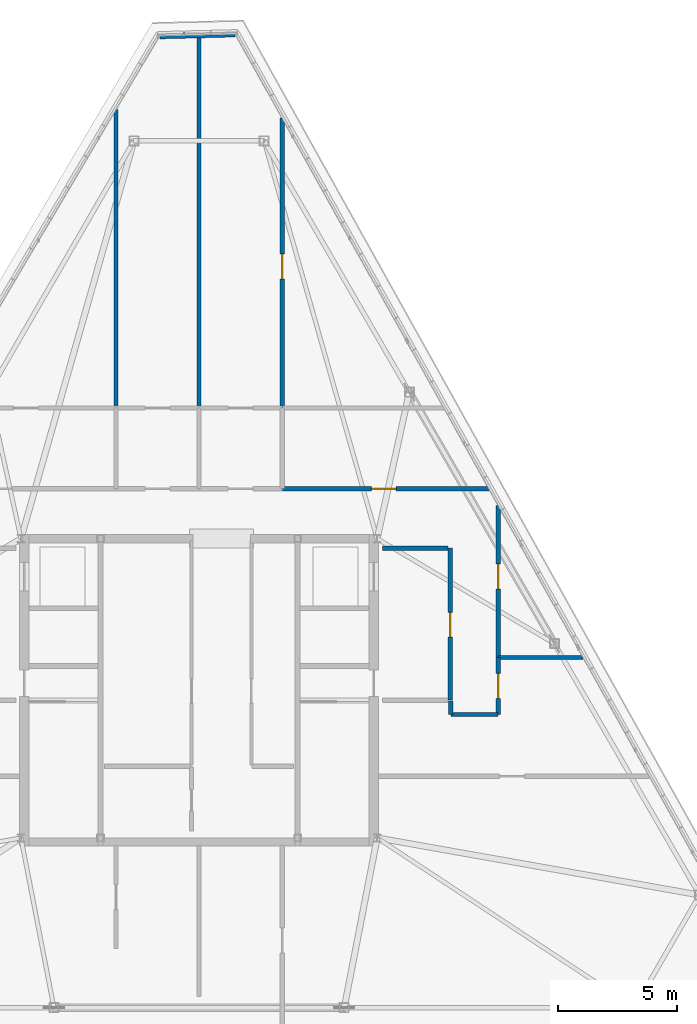
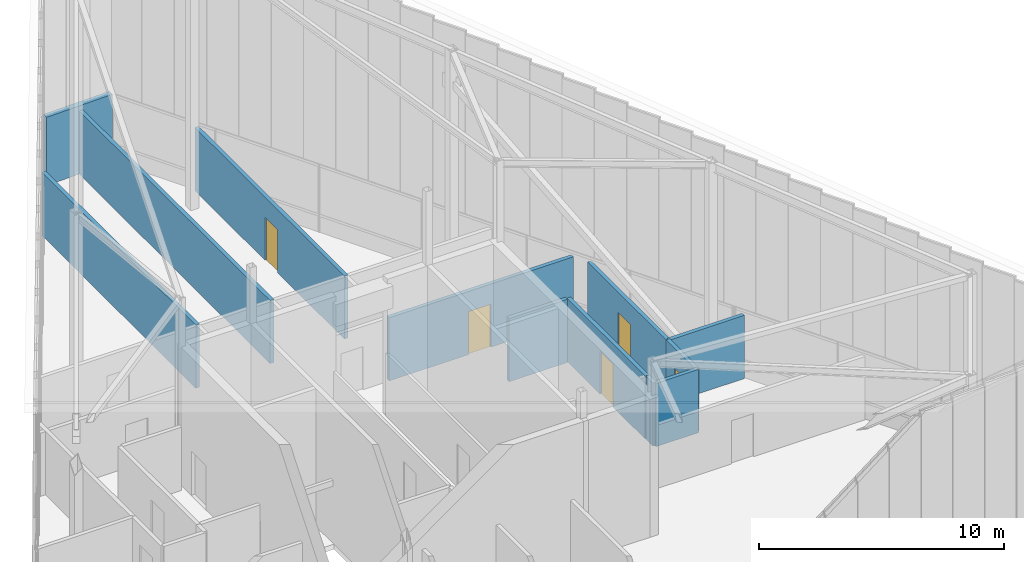
# One storey, part 45 of 50: 12 walls, 5 doors, 5 openings.
"""IFC4 building model written with IfcOpenShell, lengths in metres."""

from ifc_helpers import new_model, si_unit, direction, frame, frame_2d, origin, place, context, subcontext, project, spatial, rectangle, extrude, material, layer, layer_set, type_object, element, fill, save


model = new_model("IFC4")

# Units and contexts
model_context = context("Model", 3, precision=1e-05, world=origin(), true_north=direction((0.0, 1.0)))
body_context = subcontext(model_context, "Body", "Model", "MODEL_VIEW")
ifc_project = project(units=[si_unit("LENGTHUNIT", "METRE"), si_unit("AREAUNIT", "SQUARE_METRE"), si_unit("VOLUMEUNIT", "CUBIC_METRE"), si_unit("PLANEANGLEUNIT", "RADIAN"), si_unit("MASSUNIT", "GRAM", prefix="KILO")], contexts=[model_context])

# Site, building, storey
site_placement = place(None, origin())
site = spatial("IfcSite", under=ifc_project, at=site_placement, CompositionType="ELEMENT")
building_placement = place(site_placement, origin())
building = spatial("IfcBuilding", under=site, at=building_placement, Name="Caelisora Broadcast Tower", CompositionType="ELEMENT")
storey_placement = place(building_placement, frame((0.0, 0.0, 303.39990234375)))
storey = spatial("IfcBuildingStorey", under=building, at=storey_placement, Name="L80", CompositionType="ELEMENT", Elevation=303.39990234375)

# Wall
ifc_material_1 = material(Name="Fire-Rated Acoustic Plant Enclosure Wall", Category="masonry")
ifc_layer_1 = layer(ifc_material_1, 0.260009765625, Name="Fire-Rated Acoustic Plant Enclosure Wall")
ifc_layer_set_1 = layer_set([ifc_layer_1], Name="Fire-Rated Acoustic Plant Enclosure Wall")
wall_type_1 = type_object("IfcWallType", Name="EW2", PredefinedType="STANDARD", material=ifc_layer_set_1)
wall_1_placement = place(storey_placement, frame((36.34912109375, 51.1767578125, 0.0), z_axis=(0.0, 0.0, 1.0), x_axis=(0.999684061487, 0.025135178708, 0.0)))
element("IfcWall", 1, at=wall_1_placement, inside=storey, type_object=wall_type_1, Name="L80 exterior envelope wall EW2", PredefinedType="STANDARD", context=body_context, shape_type="SweptSolid", body=[
    extrude(rectangle(XDim=3.15673828125, YDim=0.260009765625, at=frame_2d((1.578369140625, 0.0))), origin(), (0.0, 0.0, 1.0), 3.400146484375),
])

# Wall, opening, door
ifc_material_2 = material(Name="Fire-Rated Gypsum Shaft and Compartment Wall", Category="gypsum")
ifc_layer_2 = layer(ifc_material_2, 0.179931640625, Name="Fire-Rated Gypsum Shaft and Compartment Wall")
ifc_layer_set_2 = layer_set([ifc_layer_2], Name="Fire-Rated Gypsum Shaft and Compartment Wall")
wall_type_2 = type_object("IfcWallType", Name="PW2", PredefinedType="PARTITIONING", material=ifc_layer_set_2)
wall_2_placement = place(storey_placement, frame((48.580078125, 23.199951171875, 0.0), z_axis=(0.0, 0.0, 1.0), x_axis=(0.0, 1.0, 0.0)))
wall_2 = element("IfcWall", 2, at=wall_2_placement, inside=storey, type_object=wall_type_2, Name="L80 fire compartment wall PW2", PredefinedType="PARTITIONING", context=body_context, shape_type="SweptSolid", body=[
    extrude(rectangle(XDim=6.400146484375, YDim=0.179931640625, at=frame_2d((3.2001953125, 0.0))), origin(), (0.0, 0.0, 1.0), 3.150146484375),
])
opening_1_placement = place(wall_2_placement, frame((2.64990234375, 0.0, 0.0)))
opening_1 = element("IfcOpeningElement", 3, at=opening_1_placement, cuts=wall_2, Name="Opening FD02", PredefinedType="OPENING", context=body_context, shape_type="SweptSolid", body=[
    extrude(rectangle(XDim=1.050048828125, YDim=2.14990234375, at=frame_2d((0.52490234375, 1.074951171875))), frame((0.0, 0.10205078125, 0.0), z_axis=(0.0, -1.0, 0.0), x_axis=(1.0, 0.0, 0.0)), (0.0, 0.0, 1.0), 0.203857421875),
])
ifc_material_3 = material(Name="Single-Leaf Steel Fire Lobby Door", Category="steel")
door_type = type_object("IfcDoorType", Name="FD02", OperationType="NOTDEFINED", PredefinedType="DOOR", material=ifc_material_3)
door_1_placement = place(opening_1_placement, origin())
door_1 = element("IfcDoor", 4, at=door_1_placement, inside=storey, type_object=door_type, Name="L80 door FD02 (L80-DR-P04D1)", OperationType="SINGLE_SWING_RIGHT", OverallHeight=2.14990234375, OverallWidth=1.050048828125, PredefinedType="DOOR", context=body_context, shape_type="SweptSolid", body=[
    extrude(rectangle(XDim=1.050048828125, YDim=2.14990234375, at=frame_2d((0.52490234375, 1.074951171875))), frame((0.0, 0.02490234375, 0.0), z_axis=(0.0, -1.0, 0.0), x_axis=(1.0, 0.0, 0.0)), (0.0, 0.0, 1.0), 0.050048828125),
])
fill(opening_1, door_1)

# Walls
wall_3_placement = place(storey_placement, frame((45.719970703125, 29.60009765625, 0.0), z_axis=(0.0, 0.0, 1.0), x_axis=(1.0, 0.0, 0.0)))
element("IfcWall", 5, at=wall_3_placement, inside=storey, type_object=wall_type_2, Name="L80 fire compartment wall PW2", PredefinedType="PARTITIONING", context=body_context, shape_type="SweptSolid", body=[
    extrude(rectangle(XDim=2.760009765625, YDim=0.179931640625, at=frame_2d((1.3798828125, 0.0))), origin(), (0.0, 0.0, 1.0), 3.150146484375),
])
wall_4_placement = place(storey_placement, frame((38.0, 35.5048828125, 0.0), z_axis=(0.0, 0.0, 1.0), x_axis=(0.0, 1.0, 0.0)))
element("IfcWall", 6, at=wall_4_placement, inside=storey, type_object=wall_type_2, Name="L80 fire compartment wall PW2", PredefinedType="PARTITIONING", context=body_context, shape_type="SweptSolid", body=[
    extrude(rectangle(XDim=15.693359375, YDim=0.179931640625, at=frame_2d((7.8466796875, 0.0))), origin(), (0.0, 0.0, 1.0), 3.150146484375),
])
wall_5_placement = place(storey_placement, frame((34.5, 35.5048828125, 0.0), z_axis=(0.0, 0.0, 1.0), x_axis=(0.0, 1.0, 0.0)))
element("IfcWall", 7, at=wall_5_placement, inside=storey, type_object=wall_type_2, Name="L80 fire compartment wall PW2", PredefinedType="PARTITIONING", context=body_context, shape_type="SweptSolid", body=[
    extrude(rectangle(XDim=12.574462890625, YDim=0.179931640625, at=frame_2d((6.287109375, 0.0))), origin(), (0.0, 0.0, 1.0), 3.150146484375),
])

# Wall, opening, door
wall_6_placement = place(storey_placement, frame((41.5, 35.5048828125, 0.0), z_axis=(0.0, 0.0, 1.0), x_axis=(0.0, 1.0, 0.0)))
wall_6 = element("IfcWall", 8, at=wall_6_placement, inside=storey, type_object=wall_type_2, Name="L80 fire compartment wall PW2", PredefinedType="PARTITIONING", context=body_context, shape_type="SweptSolid", body=[
    extrude(rectangle(XDim=12.21044921875, YDim=0.179931640625, at=frame_2d((6.105224609375, 0.0))), origin(), (0.0, 0.0, 1.0), 3.150146484375),
])
opening_2_placement = place(wall_6_placement, frame((5.43701171875, 0.0, 0.0)))
opening_2 = element("IfcOpeningElement", 9, at=opening_2_placement, cuts=wall_6, Name="Opening FD02", PredefinedType="OPENING", context=body_context, shape_type="SweptSolid", body=[
    extrude(rectangle(XDim=1.050048828125, YDim=2.14990234375, at=frame_2d((0.52490234375, 1.074951171875))), frame((0.0, 0.10205078125, 0.0), z_axis=(0.0, -1.0, 0.0), x_axis=(1.0, 0.0, 0.0)), (0.0, 0.0, 1.0), 0.203857421875),
])
door_2_placement = place(opening_2_placement, origin())
door_2 = element("IfcDoor", 10, at=door_2_placement, inside=storey, type_object=door_type, Name="L80 door FD02 (L80-DR-P16D1)", OperationType="SINGLE_SWING_RIGHT", OverallHeight=2.14990234375, OverallWidth=1.050048828125, PredefinedType="DOOR", context=body_context, shape_type="SweptSolid", body=[
    extrude(rectangle(XDim=1.050048828125, YDim=2.14990234375, at=frame_2d((0.52490234375, 1.074951171875))), frame((0.0, 0.02490234375, 0.0), z_axis=(0.0, -1.0, 0.0), x_axis=(1.0, 0.0, 0.0)), (0.0, 0.0, 1.0), 0.050048828125),
])
fill(opening_2, door_2)

wall_7_placement = place(storey_placement, frame((41.5048828125, 32.10009765625, 0.0), z_axis=(0.0, 0.0, 1.0), x_axis=(1.0, 0.0, 0.0)))
wall_7 = element("IfcWall", 11, at=wall_7_placement, inside=storey, type_object=wall_type_2, Name="L80 fire compartment wall PW2", PredefinedType="PARTITIONING", context=body_context, shape_type="SweptSolid", body=[
    extrude(rectangle(XDim=8.699462890625, YDim=0.179931640625, at=frame_2d((4.349609375, 0.0))), origin(), (0.0, 0.0, 1.0), 3.150146484375),
])
opening_3_placement = place(wall_7_placement, frame((3.7470703125, 0.0, 0.0)))
opening_3 = element("IfcOpeningElement", 12, at=opening_3_placement, cuts=wall_7, Name="Opening FD02", PredefinedType="OPENING", context=body_context, shape_type="SweptSolid", body=[
    extrude(rectangle(XDim=1.050048828125, YDim=2.14990234375, at=frame_2d((0.52490234375, 1.074951171875))), frame((0.0, 0.10205078125, 0.0), z_axis=(0.0, -1.0, 0.0), x_axis=(1.0, 0.0, 0.0)), (0.0, 0.0, 1.0), 0.203857421875),
])
door_3_placement = place(opening_3_placement, origin())
door_3 = element("IfcDoor", 13, at=door_3_placement, inside=storey, type_object=door_type, Name="L80 door FD02 (L80-DR-P20D1)", OperationType="SINGLE_SWING_RIGHT", OverallHeight=2.14990234375, OverallWidth=1.050048828125, PredefinedType="DOOR", context=body_context, shape_type="SweptSolid", body=[
    extrude(rectangle(XDim=1.050048828125, YDim=2.14990234375, at=frame_2d((0.52490234375, 1.074951171875))), frame((0.0, 0.02490234375, 0.0), z_axis=(0.0, -1.0, 0.0), x_axis=(1.0, 0.0, 0.0)), (0.0, 0.0, 1.0), 0.050048828125),
])
fill(opening_3, door_3)

wall_8_placement = place(storey_placement, frame((50.60009765625, 25.0048828125, 0.0), z_axis=(0.0, 0.0, 1.0), x_axis=(0.0, 1.0, 0.0)))
wall_8 = element("IfcWall", 14, at=wall_8_placement, inside=storey, type_object=wall_type_2, Name="L80 fire compartment wall PW2", PredefinedType="PARTITIONING", context=body_context, shape_type="SweptSolid", body=[
    extrude(rectangle(XDim=6.401611328125, YDim=0.179931640625, at=frame_2d((3.20068359375, 0.0))), origin(), (0.0, 0.0, 1.0), 3.150146484375),
])
opening_4_placement = place(wall_8_placement, frame((2.8798828125, 0.0, 0.0)))
opening_4 = element("IfcOpeningElement", 15, at=opening_4_placement, cuts=wall_8, Name="Opening FD02", PredefinedType="OPENING", context=body_context, shape_type="SweptSolid", body=[
    extrude(rectangle(XDim=1.050048828125, YDim=2.14990234375, at=frame_2d((0.52490234375, 1.074951171875))), frame((0.0, 0.10205078125, 0.0), z_axis=(0.0, -1.0, 0.0), x_axis=(1.0, 0.0, 0.0)), (0.0, 0.0, 1.0), 0.203857421875),
])
door_4_placement = place(opening_4_placement, origin())
door_4 = element("IfcDoor", 16, at=door_4_placement, inside=storey, type_object=door_type, Name="L80 door FD02 (L80-DR-P26D1)", OperationType="SINGLE_SWING_LEFT", OverallHeight=2.14990234375, OverallWidth=1.050048828125, PredefinedType="DOOR", context=body_context, shape_type="SweptSolid", body=[
    extrude(rectangle(XDim=1.050048828125, YDim=2.14990234375, at=frame_2d((0.52490234375, 1.074951171875))), frame((0.0, 0.02490234375, 0.0), z_axis=(0.0, -1.0, 0.0), x_axis=(1.0, 0.0, 0.0)), (0.0, 0.0, 1.0), 0.050048828125),
])
fill(opening_4, door_4)

# Wall
wall_9_placement = place(storey_placement, frame((50.60498046875, 25.0, 0.0), z_axis=(0.0, 0.0, 1.0), x_axis=(1.0, 0.0, 0.0)))
element("IfcWall", 17, at=wall_9_placement, inside=storey, type_object=wall_type_2, Name="L80 fire compartment wall PW2", PredefinedType="PARTITIONING", context=body_context, shape_type="SweptSolid", body=[
    extrude(rectangle(XDim=3.56103515625, YDim=0.179931640625, at=frame_2d((1.780517578125, 0.0))), origin(), (0.0, 0.0, 1.0), 3.150146484375),
])

# Wall, opening, door
wall_10_placement = place(storey_placement, frame((50.60009765625, 22.60498046875, 0.0), z_axis=(0.0, 0.0, 1.0), x_axis=(0.0, 1.0, 0.0)))
wall_10 = element("IfcWall", 18, at=wall_10_placement, inside=storey, type_object=wall_type_2, Name="L80 fire compartment wall PW2", PredefinedType="PARTITIONING", context=body_context, shape_type="SweptSolid", body=[
    extrude(rectangle(XDim=2.39013671875, YDim=0.179931640625, at=frame_2d((1.195068359375, 0.0))), origin(), (0.0, 0.0, 1.0), 3.150146484375),
])
opening_5_placement = place(wall_10_placement, frame((0.669921875, 0.0, 0.0)))
opening_5 = element("IfcOpeningElement", 19, at=opening_5_placement, cuts=wall_10, Name="Opening FD02", PredefinedType="OPENING", context=body_context, shape_type="SweptSolid", body=[
    extrude(rectangle(XDim=1.050048828125, YDim=2.14990234375, at=frame_2d((0.52490234375, 1.074951171875))), frame((0.0, 0.10205078125, 0.0), z_axis=(0.0, -1.0, 0.0), x_axis=(1.0, 0.0, 0.0)), (0.0, 0.0, 1.0), 0.203857421875),
])
door_5_placement = place(opening_5_placement, origin())
door_5 = element("IfcDoor", 20, at=door_5_placement, inside=storey, type_object=door_type, Name="L80 door FD02 (L80-DR-P39D1)", OperationType="SINGLE_SWING_LEFT", OverallHeight=2.14990234375, OverallWidth=1.050048828125, PredefinedType="DOOR", context=body_context, shape_type="SweptSolid", body=[
    extrude(rectangle(XDim=1.050048828125, YDim=2.14990234375, at=frame_2d((0.52490234375, 1.074951171875))), frame((0.0, 0.02490234375, 0.0), z_axis=(0.0, -1.0, 0.0), x_axis=(1.0, 0.0, 0.0)), (0.0, 0.0, 1.0), 0.050048828125),
])
fill(opening_5, door_5)

# Walls
wall_11_placement = place(storey_placement, frame((48.60498046875, 22.60009765625, 0.0), z_axis=(0.0, 0.0, 1.0), x_axis=(1.0, 0.0, 0.0)))
element("IfcWall", 21, at=wall_11_placement, inside=storey, type_object=wall_type_2, Name="L80 fire compartment wall PW2", PredefinedType="PARTITIONING", context=body_context, shape_type="SweptSolid", body=[
    extrude(rectangle(XDim=1.989990234375, YDim=0.179931640625, at=frame_2d((0.9951171875, 0.0))), origin(), (0.0, 0.0, 1.0), 3.150146484375),
])
wall_12_placement = place(storey_placement, frame((48.60009765625, 23.175048828125, 0.0), z_axis=(0.0, 0.0, 1.0), x_axis=(0.0, -1.0, 0.0)))
element("IfcWall", 22, at=wall_12_placement, inside=storey, type_object=wall_type_2, Name="L80 fire compartment wall PW2", PredefinedType="PARTITIONING", context=body_context, shape_type="SweptSolid", body=[
    extrude(rectangle(XDim=0.570068359375, YDim=0.179931640625, at=frame_2d((0.28515625, 0.0))), origin(), (0.0, 0.0, 1.0), 3.150146484375),
])

save(model, "model.ifc")
